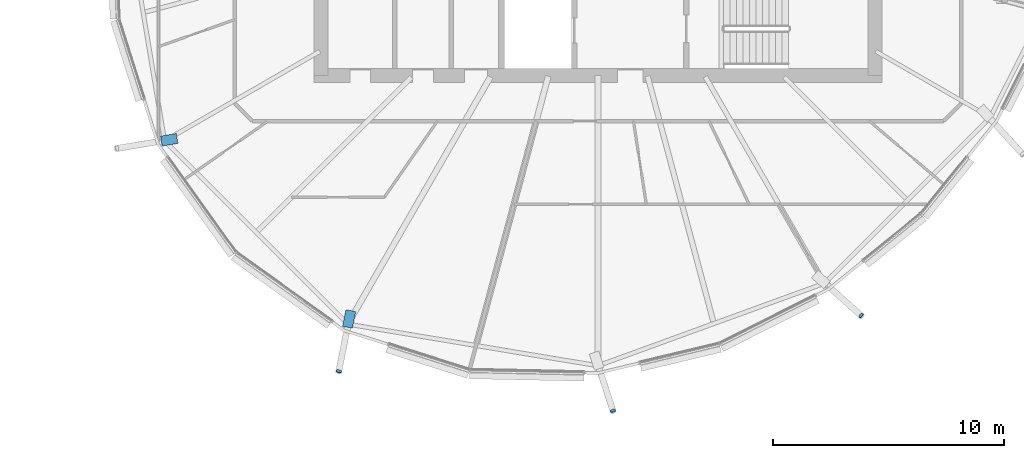
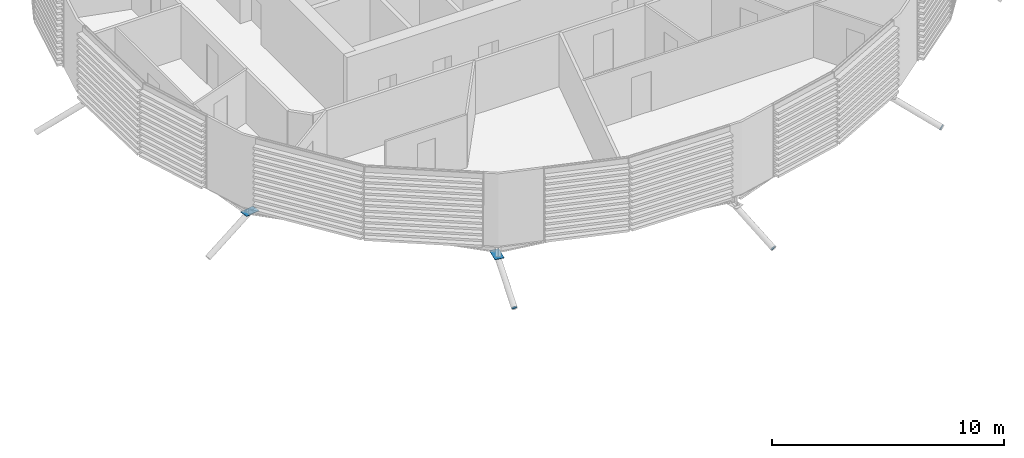
# One storey, part 28 of 36: 5 discrete accessories.
"""IFC4 building model written with IfcOpenShell, lengths in metres."""

from ifc_helpers import new_model, si_unit, direction, frame, origin, origin_2d, place, context, subcontext, project, spatial, polyline, rectangle, circle, outline, extrude, material, material_profile, profile_set, type_object, element, save


model = new_model("IFC4")

# Units and contexts
model_context = context("Model", 3, precision=1e-05, world=origin(), true_north=direction((0.0, 1.0)))
body_context = subcontext(model_context, "Body", "Model", "MODEL_VIEW")
ifc_project = project(units=[si_unit("LENGTHUNIT", "METRE"), si_unit("AREAUNIT", "SQUARE_METRE"), si_unit("VOLUMEUNIT", "CUBIC_METRE"), si_unit("PLANEANGLEUNIT", "RADIAN"), si_unit("MASSUNIT", "GRAM", prefix="KILO")], contexts=[model_context])

# Site, building, storey
site_placement = place(None, origin())
site = spatial("IfcSite", under=ifc_project, at=site_placement, CompositionType="ELEMENT")
building_placement = place(site_placement, origin())
building = spatial("IfcBuilding", under=site, at=building_placement, Name="Rimbun Link Towers", CompositionType="ELEMENT")
storey_placement = place(building_placement, frame((0.0, 0.0, 174.10009765625)))
storey = spatial("IfcBuildingStorey", under=building, at=storey_placement, Name="L42", CompositionType="ELEMENT", Elevation=174.10009765625)

# Discrete accessories
ifc_material_1 = material(Name="Steel S355J2H", Category="steel")
ifc_material_profile_1 = material_profile(ifc_material_1, circle(Radius=0.1240234375, at=origin_2d()), Name="PL D248")
ifc_profile_set_1 = profile_set([ifc_material_profile_1], Name="Steel S355J2H")
discrete_accessory_type_1 = type_object("IfcDiscreteAccessoryType", Name="Link foot sealing plate D248X20", PredefinedType="BRACKET", material=ifc_profile_set_1)
discrete_accessory_1_placement = place(storey_placement, frame((20.52734375, -20.806884765625, -2.096923828125), z_axis=(-0.170301683814, -0.863672825057, -0.474411833482), x_axis=(0.981108552987, -0.193458024533, 0.0)))
element("IfcDiscreteAccessory", 1, at=discrete_accessory_1_placement, inside=storey, type_object=discrete_accessory_type_1, Name="Link foot sealing plate T2 L42 13", PredefinedType="BRACKET", context=body_context, shape_type="SweptSolid", body=[
    extrude(circle(Radius=0.1240234375, at=origin_2d()), origin(), (0.0, 0.0, 1.0), 0.02001953125),
])
discrete_accessory_2_placement = place(storey_placement, frame((32.397216796875, -22.518798828125, -2.09130859375), z_axis=(0.270208291402, -0.835189264332, -0.479005607485), x_axis=(0.951444518554, 0.307820285415, 0.0)))
element("IfcDiscreteAccessory", 2, at=discrete_accessory_2_placement, inside=storey, type_object=discrete_accessory_type_1, Name="Link foot sealing plate T2 L42 15", PredefinedType="BRACKET", context=body_context, shape_type="SweptSolid", body=[
    extrude(circle(Radius=0.1240234375, at=origin_2d()), origin(), (0.0, 0.0, 1.0), 0.019775390625),
])
discrete_accessory_3_placement = place(storey_placement, frame((43.1435546875, -18.397216796875, -2.01318359375), z_axis=(0.643003146809, -0.582342472582, -0.497417528663), x_axis=(0.671279432626, 0.741204373525, 0.0)))
element("IfcDiscreteAccessory", 3, at=discrete_accessory_3_placement, inside=storey, type_object=discrete_accessory_type_1, Name="Link foot sealing plate T2 L42 17", PredefinedType="BRACKET", context=body_context, shape_type="SweptSolid", body=[
    extrude(circle(Radius=0.1240234375, at=origin_2d()), origin(), (0.0, 0.0, 1.0), 0.02001953125),
])
ifc_material_2 = material(Name="Steel S355J2H", Category="steel")
ifc_material_profile_2 = material_profile(ifc_material_2, rectangle(XDim=0.43310546875, YDim=0.43310546875, at=origin_2d()), Name="PL 433x433")
ifc_profile_set_2 = profile_set([ifc_material_profile_2], Name="Steel S355J2H")
discrete_accessory_type_2 = type_object("IfcDiscreteAccessoryType", Name="Link head end plate 433X20", PredefinedType="BRACKET", material=ifc_profile_set_2)
discrete_accessory_4_placement = place(storey_placement, frame((0.0, 0.0, -0.576416015625)))
element("IfcDiscreteAccessory", 4, at=discrete_accessory_4_placement, inside=storey, type_object=discrete_accessory_type_2, Name="Link head end plate T2 L42 11", PredefinedType="BRACKET", context=body_context, shape_type="SweptSolid", body=[
    extrude(outline(polyline([(13.488037109375, -10.5166015625), (12.803955078125, -10.629638671875), (12.87451171875, -11.056884765625), (13.558837890625, -10.943603515625), (13.488037109375, -10.5166015625)])), origin(), (0.0, 0.0, 1.0), 0.02001953125),
])
discrete_accessory_5_placement = place(storey_placement, frame((0.0, 0.0, -0.853515625)))
element("IfcDiscreteAccessory", 5, at=discrete_accessory_5_placement, inside=storey, type_object=discrete_accessory_type_2, Name="Link head end plate T2 L42 13", PredefinedType="BRACKET", context=body_context, shape_type="SweptSolid", body=[
    extrude(outline(polyline([(20.8310546875, -18.14599609375), (20.68896484375, -18.866455078125), (21.114013671875, -18.9501953125), (21.255859375, -18.2294921875), (20.8310546875, -18.14599609375)])), origin(), (0.0, 0.0, 1.0), 0.02001953125),
])

save(model, "model.ifc")
